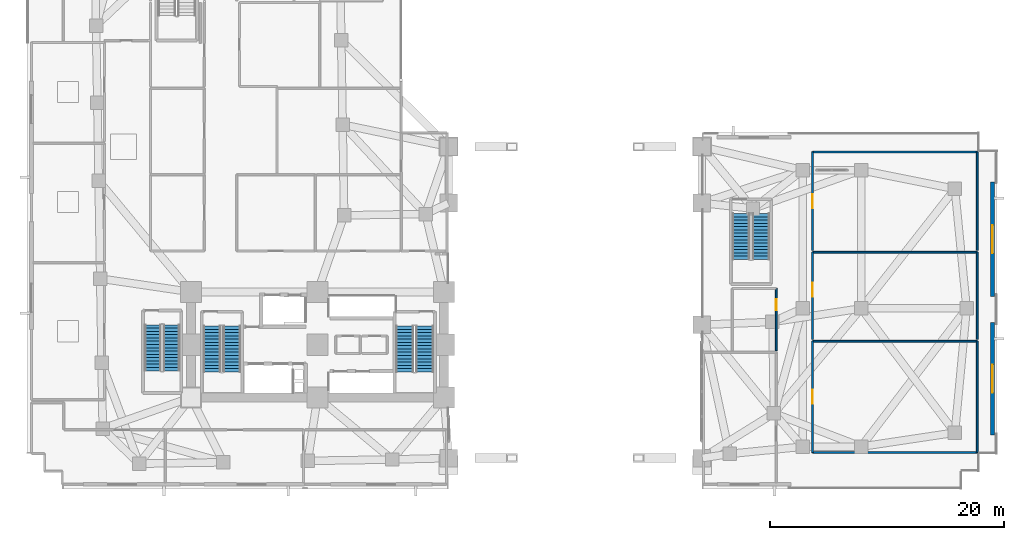
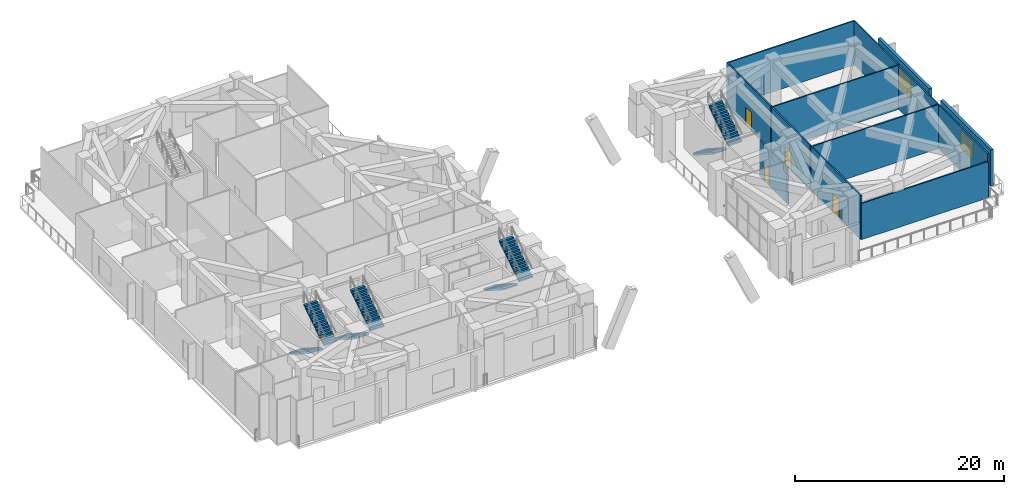
# One storey, part 11 of 18: 13 walls, 8 stair flights, 4 doors, 2 windows, 6 openings, 4 elements without a shape of their own.
"""IFC4 building model written with IfcOpenShell, lengths in metres."""

from ifc_helpers import new_model, si_unit, direction, frame, frame_2d, origin, place, context, subcontext, project, spatial, polyline, rectangle, outline, extrude, material, layer, layer_set, type_object, element, fill, aggregate, save


model = new_model("IFC4")

# Units and contexts
model_context = context("Model", 3, precision=1e-05, world=origin(), true_north=direction((0.0, 1.0)))
body_context = subcontext(model_context, "Body", "Model", "MODEL_VIEW")
ifc_project = project(units=[si_unit("LENGTHUNIT", "METRE"), si_unit("AREAUNIT", "SQUARE_METRE"), si_unit("VOLUMEUNIT", "CUBIC_METRE"), si_unit("PLANEANGLEUNIT", "RADIAN"), si_unit("MASSUNIT", "GRAM", prefix="KILO")], contexts=[model_context])

# Site, building, storey
site_placement = place(None, origin())
site = spatial("IfcSite", under=ifc_project, at=site_placement, CompositionType="ELEMENT")
building_placement = place(site_placement, origin())
building = spatial("IfcBuilding", under=site, at=building_placement, Name="Gaonmaruhae Medical Tower", CompositionType="ELEMENT")
storey_placement = place(building_placement, frame((0.0, 0.0, 16.199951171875)))
storey = spatial("IfcBuildingStorey", under=building, at=storey_placement, Name="L03", CompositionType="ELEMENT", Elevation=16.199951171875)

# Wall, opening, window
ifc_material_1 = material(Name="Precast concrete C45/55", Category="concrete")
ifc_layer_1 = layer(ifc_material_1, 0.320068359375)
ifc_layer_set_1 = layer_set([ifc_layer_1], Name="Precast concrete C45/55")
wall_type_1 = type_object("IfcWallType", Name="EW-320 Lower Precast Masonry-Frame Facade Wall", PredefinedType="SOLIDWALL", material=ifc_layer_set_1)
wall_1_placement = place(storey_placement, frame((82.39990234375, 14.199951171875, 0.0), z_axis=(0.0, 0.0, 1.0), x_axis=(0.0, -1.0, 0.0)))
wall_1 = element("IfcWall", 1, at=wall_1_placement, inside=storey, type_object=wall_type_1, Name="L03 Precast Facade Wall PB-E1", PredefinedType="SOLIDWALL", context=body_context, shape_type="SweptSolid", body=[
    extrude(rectangle(XDim=9.599853515625, YDim=0.320068359375, at=frame_2d((4.7998046875, 0.0))), origin(), (0.0, 0.0, 1.0), 4.22998046875),
])
opening_1_placement = place(wall_1_placement, frame((3.60009765625, 0.0, 0.800048828125)))
opening_1 = element("IfcOpeningElement", 2, at=opening_1_placement, cuts=wall_1, Name="Opening WN-06", PredefinedType="OPENING", context=body_context, shape_type="SweptSolid", body=[
    extrude(rectangle(XDim=2.39990234375, YDim=2.199951171875, at=frame_2d((1.199951171875, 1.10009765625))), frame((0.0, 0.169921875, 0.0), z_axis=(0.0, -1.0, 0.0), x_axis=(1.0, 0.0, 0.0)), (0.0, 0.0, 1.0), 0.340087890625),
])
ifc_material_2 = material(Name="Anodised aluminium and Low-E double glazing", Category="aluminium")
window_type = type_object("IfcWindowType", Name="WN-06 Podium Diagnostic Punched Window 2400x2200", PartitioningType="SINGLE_PANEL", PredefinedType="WINDOW", material=ifc_material_2)
window_1_placement = place(opening_1_placement, origin())
window_1 = element("IfcWindow", 3, at=window_1_placement, inside=storey, type_object=window_type, Name="L03 Podium Punched Window PB-E1", OverallHeight=2.199951171875, OverallWidth=2.39990234375, PartitioningType="SINGLE_PANEL", PredefinedType="WINDOW", context=body_context, shape_type="SweptSolid", body=[
    extrude(rectangle(XDim=2.39990234375, YDim=2.199951171875, at=frame_2d((1.199951171875, 1.10009765625))), frame((0.0, 0.030029296875, 0.0), z_axis=(0.0, -1.0, 0.0), x_axis=(1.0, 0.0, 0.0)), (0.0, 0.0, 1.0), 0.06005859375),
])
fill(opening_1, window_1)

wall_2_placement = place(storey_placement, frame((82.39990234375, 26.199951171875, 0.0), z_axis=(0.0, 0.0, 1.0), x_axis=(0.0, -1.0, 0.0)))
wall_2 = element("IfcWall", 4, at=wall_2_placement, inside=storey, type_object=wall_type_1, Name="L03 Precast Facade Wall PB-E2", PredefinedType="SOLIDWALL", context=body_context, shape_type="SweptSolid", body=[
    extrude(rectangle(XDim=9.800048828125, YDim=0.320068359375, at=frame_2d((4.89990234375, 0.0))), origin(), (0.0, 0.0, 1.0), 4.22998046875),
])
opening_2_placement = place(wall_2_placement, frame((3.699951171875, 0.0, 0.800048828125)))
opening_2 = element("IfcOpeningElement", 5, at=opening_2_placement, cuts=wall_2, Name="Opening WN-06", PredefinedType="OPENING", context=body_context, shape_type="SweptSolid", body=[
    extrude(rectangle(XDim=2.39990234375, YDim=2.199951171875, at=frame_2d((1.199951171875, 1.10009765625))), frame((0.0, 0.169921875, 0.0), z_axis=(0.0, -1.0, 0.0), x_axis=(1.0, 0.0, 0.0)), (0.0, 0.0, 1.0), 0.340087890625),
])
window_2_placement = place(opening_2_placement, origin())
window_2 = element("IfcWindow", 6, at=window_2_placement, inside=storey, type_object=window_type, Name="L03 Podium Punched Window PB-E2", OverallHeight=2.199951171875, OverallWidth=2.39990234375, PartitioningType="SINGLE_PANEL", PredefinedType="WINDOW", context=body_context, shape_type="SweptSolid", body=[
    extrude(rectangle(XDim=2.39990234375, YDim=2.199951171875, at=frame_2d((1.199951171875, 1.10009765625))), frame((0.0, 0.030029296875, 0.0), z_axis=(0.0, -1.0, 0.0), x_axis=(1.0, 0.0, 0.0)), (0.0, 0.0, 1.0), 0.06005859375),
])
fill(opening_2, window_2)

# Walls
ifc_material_3 = material(Name="Gypsum board partition", Category="gypsum")
ifc_layer_2 = layer(ifc_material_3, 0.14990234375)
ifc_layer_set_2 = layer_set([ifc_layer_2], Name="Gypsum board partition")
wall_type_2 = type_object("IfcWallType", Name="PW-150 Rated Clinical Corridor Partition", PredefinedType="PARTITIONING", material=ifc_layer_set_2)
wall_3_placement = place(storey_placement, frame((67.050048828125, 12.60009765625, 0.0), z_axis=(0.0, 0.0, 1.0), x_axis=(1.0, 0.0, 0.0)))
element("IfcWall", 7, at=wall_3_placement, inside=storey, type_object=wall_type_2, Name="L03 Interior Partition L03-EA1-23", PredefinedType="PARTITIONING", context=body_context, shape_type="SweptSolid", body=[
    extrude(rectangle(XDim=14.050048828125, YDim=0.14990234375, at=frame_2d((7.02490234375, 0.0))), origin(), (0.0, 0.0, 1.0), 5.150146484375),
])
wall_4_placement = place(storey_placement, frame((81.10009765625, 12.60009765625, 0.0), z_axis=(0.0, 0.0, 1.0), x_axis=(0.0, -1.0, 0.0)))
element("IfcWall", 8, at=wall_4_placement, inside=storey, type_object=wall_type_2, Name="L03 Interior Partition L03-EA1-24", PredefinedType="PARTITIONING", context=body_context, shape_type="SweptSolid", body=[
    extrude(rectangle(XDim=9.5, YDim=0.14990234375, at=frame_2d((4.75, 0.0))), origin(), (0.0, 0.0, 1.0), 5.150146484375),
])
wall_5_placement = place(storey_placement, frame((81.10009765625, 3.10009765625, 0.0), z_axis=(0.0, 0.0, 1.0), x_axis=(-1.0, 0.0, 0.0)))
element("IfcWall", 9, at=wall_5_placement, inside=storey, type_object=wall_type_2, Name="L03 Interior Partition L03-EA1-25", PredefinedType="PARTITIONING", context=body_context, shape_type="SweptSolid", body=[
    extrude(rectangle(XDim=14.050048828125, YDim=0.14990234375, at=frame_2d((7.02490234375, 0.0))), origin(), (0.0, 0.0, 1.0), 4.235107421875),
])

# Wall, opening, door
wall_6_placement = place(storey_placement, frame((67.050048828125, 3.10009765625, 0.0), z_axis=(0.0, 0.0, 1.0), x_axis=(0.0, 1.0, 0.0)))
wall_6 = element("IfcWall", 10, at=wall_6_placement, inside=storey, type_object=wall_type_2, Name="L03 Interior Partition L03-EA1-26", PredefinedType="PARTITIONING", context=body_context, shape_type="SweptSolid", body=[
    extrude(rectangle(XDim=9.5, YDim=0.14990234375, at=frame_2d((4.75, 0.0))), origin(), (0.0, 0.0, 1.0), 5.150146484375),
])
opening_3_placement = place(wall_6_placement, frame((4.14990234375, 0.0, 0.0)))
opening_3 = element("IfcOpeningElement", 11, at=opening_3_placement, cuts=wall_6, Name="Opening CD-02", PredefinedType="OPENING", context=body_context, shape_type="SweptSolid", body=[
    extrude(rectangle(XDim=1.199951171875, YDim=2.14990234375, at=frame_2d((0.60009765625, 1.074951171875))), frame((0.0, 0.0849609375, 0.0), z_axis=(0.0, -1.0, 0.0), x_axis=(1.0, 0.0, 0.0)), (0.0, 0.0, 1.0), 0.169921875),
])
ifc_material_4 = material(Name="Antimicrobial laminate timber fire door", Category="wood")
door_type_1 = type_object("IfcDoorType", Name="CD-02 Clinical Treatment & Procedure Door 1200x2150", OperationType="NOTDEFINED", PredefinedType="DOOR", material=ifc_material_4)
door_1_placement = place(opening_3_placement, origin())
door_1 = element("IfcDoor", 12, at=door_1_placement, inside=storey, type_object=door_type_1, Name="L03 L03 Molecular Pathology Laboratory Door", OperationType="SINGLE_SWING_LEFT", OverallHeight=2.14990234375, OverallWidth=1.199951171875, PredefinedType="DOOR", context=body_context, shape_type="SweptSolid", body=[
    extrude(rectangle(XDim=1.199951171875, YDim=2.14990234375, at=frame_2d((0.60009765625, 1.074951171875))), frame((0.0, 0.02490234375, 0.0), z_axis=(0.0, -1.0, 0.0), x_axis=(1.0, 0.0, 0.0)), (0.0, 0.0, 1.0), 0.050048828125),
])
fill(opening_3, door_1)

# Walls
wall_7_placement = place(storey_placement, frame((67.050048828125, 20.199951171875, 0.0), z_axis=(0.0, 0.0, 1.0), x_axis=(1.0, 0.0, 0.0)))
element("IfcWall", 13, at=wall_7_placement, inside=storey, type_object=wall_type_2, Name="L03 Interior Partition L03-EA2-27", PredefinedType="PARTITIONING", context=body_context, shape_type="SweptSolid", body=[
    extrude(rectangle(XDim=14.050048828125, YDim=0.14990234375, at=frame_2d((7.02490234375, 0.0))), origin(), (0.0, 0.0, 1.0), 5.150146484375),
])
wall_8_placement = place(storey_placement, frame((81.10009765625, 20.199951171875, 0.0), z_axis=(0.0, 0.0, 1.0), x_axis=(0.0, -1.0, 0.0)))
element("IfcWall", 14, at=wall_8_placement, inside=storey, type_object=wall_type_2, Name="L03 Interior Partition L03-EA2-28", PredefinedType="PARTITIONING", context=body_context, shape_type="SweptSolid", body=[
    extrude(rectangle(XDim=7.449951171875, YDim=0.14990234375, at=frame_2d((3.72509765625, 0.0))), origin(), (0.0, 0.0, 1.0), 5.150146484375),
])

# Wall, opening, door
wall_9_placement = place(storey_placement, frame((67.050048828125, 12.75, 0.0), z_axis=(0.0, 0.0, 1.0), x_axis=(0.0, 1.0, 0.0)))
wall_9 = element("IfcWall", 15, at=wall_9_placement, inside=storey, type_object=wall_type_2, Name="L03 Interior Partition L03-EA2-29", PredefinedType="PARTITIONING", context=body_context, shape_type="SweptSolid", body=[
    extrude(rectangle(XDim=7.449951171875, YDim=0.14990234375, at=frame_2d((3.72509765625, 0.0))), origin(), (0.0, 0.0, 1.0), 5.150146484375),
])
opening_4_placement = place(wall_9_placement, frame((3.63720703125, 0.0, 0.0)))
opening_4 = element("IfcOpeningElement", 16, at=opening_4_placement, cuts=wall_9, Name="Opening CD-02", PredefinedType="OPENING", context=body_context, shape_type="SweptSolid", body=[
    extrude(rectangle(XDim=1.199951171875, YDim=2.14990234375, at=frame_2d((0.60009765625, 1.074951171875))), frame((0.0, 0.0849609375, 0.0), z_axis=(0.0, -1.0, 0.0), x_axis=(1.0, 0.0, 0.0)), (0.0, 0.0, 1.0), 0.169921875),
])
door_2_placement = place(opening_4_placement, origin())
door_2 = element("IfcDoor", 17, at=door_2_placement, inside=storey, type_object=door_type_1, Name="L03 L03 Clinical Research Seminar Room Door", OperationType="SINGLE_SWING_RIGHT", OverallHeight=2.14990234375, OverallWidth=1.199951171875, PredefinedType="DOOR", context=body_context, shape_type="SweptSolid", body=[
    extrude(rectangle(XDim=1.199951171875, YDim=2.14990234375, at=frame_2d((0.60009765625, 1.074951171875))), frame((0.0, 0.02490234375, 0.0), z_axis=(0.0, -1.0, 0.0), x_axis=(1.0, 0.0, 0.0)), (0.0, 0.0, 1.0), 0.050048828125),
])
fill(opening_4, door_2)

# Walls
wall_10_placement = place(storey_placement, frame((67.050048828125, 28.75, 0.0), z_axis=(0.0, 0.0, 1.0), x_axis=(1.0, 0.0, 0.0)))
element("IfcWall", 18, at=wall_10_placement, inside=storey, type_object=wall_type_2, Name="L03 Interior Partition L03-EA3-30", PredefinedType="PARTITIONING", context=body_context, shape_type="SweptSolid", body=[
    extrude(rectangle(XDim=14.050048828125, YDim=0.14990234375, at=frame_2d((7.02490234375, 0.0))), origin(), (0.0, 0.0, 1.0), 5.150146484375),
])
wall_11_placement = place(storey_placement, frame((81.10009765625, 28.75, 0.0), z_axis=(0.0, 0.0, 1.0), x_axis=(0.0, -1.0, 0.0)))
element("IfcWall", 19, at=wall_11_placement, inside=storey, type_object=wall_type_2, Name="L03 Interior Partition L03-EA3-31", PredefinedType="PARTITIONING", context=body_context, shape_type="SweptSolid", body=[
    extrude(rectangle(XDim=8.39990234375, YDim=0.14990234375, at=frame_2d((4.199951171875, 0.0))), origin(), (0.0, 0.0, 1.0), 5.150146484375),
])

# Wall, opening, door
wall_12_placement = place(storey_placement, frame((67.050048828125, 20.35009765625, 0.0), z_axis=(0.0, 0.0, 1.0), x_axis=(0.0, 1.0, 0.0)))
wall_12 = element("IfcWall", 20, at=wall_12_placement, inside=storey, type_object=wall_type_2, Name="L03 Interior Partition L03-EA3-32", PredefinedType="PARTITIONING", context=body_context, shape_type="SweptSolid", body=[
    extrude(rectangle(XDim=8.39990234375, YDim=0.14990234375, at=frame_2d((4.199951171875, 0.0))), origin(), (0.0, 0.0, 1.0), 5.150146484375),
])
opening_5_placement = place(wall_12_placement, frame((3.60009765625, 0.0, 0.0)))
opening_5 = element("IfcOpeningElement", 21, at=opening_5_placement, cuts=wall_12, Name="Opening CD-02", PredefinedType="OPENING", context=body_context, shape_type="SweptSolid", body=[
    extrude(rectangle(XDim=1.199951171875, YDim=2.14990234375, at=frame_2d((0.60009765625, 1.074951171875))), frame((0.0, 0.0849609375, 0.0), z_axis=(0.0, -1.0, 0.0), x_axis=(1.0, 0.0, 0.0)), (0.0, 0.0, 1.0), 0.169921875),
])
door_3_placement = place(opening_5_placement, origin())
door_3 = element("IfcDoor", 22, at=door_3_placement, inside=storey, type_object=door_type_1, Name="L03 L03 Biomedical Engineering Suite Door", OperationType="SINGLE_SWING_RIGHT", OverallHeight=2.14990234375, OverallWidth=1.199951171875, PredefinedType="DOOR", context=body_context, shape_type="SweptSolid", body=[
    extrude(rectangle(XDim=1.199951171875, YDim=2.14990234375, at=frame_2d((0.60009765625, 1.074951171875))), frame((0.0, 0.02490234375, 0.0), z_axis=(0.0, -1.0, 0.0), x_axis=(1.0, 0.0, 0.0)), (0.0, 0.0, 1.0), 0.050048828125),
])
fill(opening_5, door_3)

wall_13_placement = place(storey_placement, frame((63.949951171875, 17.10009765625, 0.0), z_axis=(0.0, 0.0, 1.0), x_axis=(0.0, -1.0, 0.0)))
wall_13 = element("IfcWall", 23, at=wall_13_placement, inside=storey, type_object=wall_type_2, Name="L03 Interior Partition L03-EAW-38", PredefinedType="PARTITIONING", context=body_context, shape_type="SweptSolid", body=[
    extrude(rectangle(XDim=5.300048828125, YDim=0.14990234375, at=frame_2d((2.64990234375, 0.0))), origin(), (0.0, 0.0, 1.0), 4.235107421875),
])
opening_6_placement = place(wall_13_placement, frame((0.929443359375, 0.0, 0.0)))
opening_6 = element("IfcOpeningElement", 24, at=opening_6_placement, cuts=wall_13, Name="Opening UD-01", PredefinedType="OPENING", context=body_context, shape_type="SweptSolid", body=[
    extrude(rectangle(XDim=0.919921875, YDim=2.10009765625, at=frame_2d((0.4599609375, 1.050048828125))), frame((0.0, 0.0849609375, 0.0), z_axis=(0.0, -1.0, 0.0), x_axis=(1.0, 0.0, 0.0)), (0.0, 0.0, 1.0), 0.169921875),
])
ifc_material_5 = material(Name="Powder-coated steel utility door", Category="steel")
door_type_2 = type_object("IfcDoorType", Name="UD-01 Toilet, Utility & Housekeeping Door 920x2100", OperationType="NOTDEFINED", PredefinedType="DOOR", material=ifc_material_5)
door_4_placement = place(opening_6_placement, origin())
door_4 = element("IfcDoor", 25, at=door_4_placement, inside=storey, type_object=door_type_2, Name="L03 L03 East Annex Accessible Toilet Door", OperationType="SINGLE_SWING_LEFT", OverallHeight=2.10009765625, OverallWidth=0.919921875, PredefinedType="DOOR", context=body_context, shape_type="SweptSolid", body=[
    extrude(rectangle(XDim=0.919921875, YDim=2.10009765625, at=frame_2d((0.4599609375, 1.050048828125))), frame((0.0, 0.02490234375, 0.0), z_axis=(0.0, -1.0, 0.0), x_axis=(1.0, 0.0, 0.0)), (0.0, 0.0, 1.0), 0.050048828125),
])
fill(opening_6, door_4)

# Stair, stair flights
ifc_material_6 = material(Name="Concrete C40/50", Category="concrete")
stair_type_1 = type_object("IfcStairType", Name="ST-T1 Primary Core Escape Dogleg Stair", PredefinedType="TWO_QUARTER_TURN_STAIR", material=ifc_material_6)
stair_1_placement = place(storey_placement, origin())
stair_1 = element("IfcStair", 26, at=stair_1_placement, inside=storey, type_object=stair_type_1, Name="L03 Protected Escape Stair ST-01", PredefinedType="TWO_QUARTER_TURN_STAIR")
stair_flight_type_1 = type_object("IfcStairFlightType", Name="SF-T1 Primary Core Precast Stair Flight", PredefinedType="STRAIGHT", material=ifc_material_6)
stair_flight_1_placement = place(storey_placement, frame((15.800048828125, 13.89990234375, 0.0), z_axis=(0.0, 0.0, 1.0), x_axis=(0.0, -1.0, 0.0)))
stair_flight_1 = element("IfcStairFlight", 27, at=stair_flight_1_placement, type_object=stair_flight_type_1, Name="ST-01 flight 1", NumberOfRisers=15, NumberOfTreads=14, PredefinedType="STRAIGHT", RiserHeight=0.18, TreadLength=0.28, context=body_context, shape_type="SweptSolid", body=[
    extrude(outline(polyline([(0.0, 0.0), (0.0, 0.179931640625), (0.280029296875, 0.179931640625), (0.280029296875, 0.360107421875), (0.56005859375, 0.360107421875), (0.56005859375, 0.5400390625), (0.840087890625, 0.5400390625), (0.840087890625, 0.719970703125), (1.1201171875, 0.719970703125), (1.1201171875, 0.89990234375), (1.39990234375, 0.89990234375), (1.39990234375, 1.080078125), (1.679931640625, 1.080078125), (1.679931640625, 1.260009765625), (1.9599609375, 1.260009765625), (1.9599609375, 1.43994140625), (2.239990234375, 1.43994140625), (2.239990234375, 1.6201171875), (2.52001953125, 1.6201171875), (2.52001953125, 1.800048828125), (2.800048828125, 1.800048828125), (2.800048828125, 1.97998046875), (3.080078125, 1.97998046875), (3.080078125, 2.159912109375), (3.360107421875, 2.159912109375), (3.360107421875, 2.340087890625), (3.639892578125, 2.340087890625), (3.639892578125, 2.52001953125), (3.919921875, 2.52001953125), (3.919921875, 2.699951171875), (3.919921875, 2.341796875), (0.277099609375, 0.0), (0.0, 0.0)])), frame((0.0, 0.75, 0.0), z_axis=(0.0, -1.0, 0.0), x_axis=(1.0, 0.0, 0.0)), (0.0, 0.0, 1.0), 1.5),
])
stair_flight_2_placement = place(storey_placement, frame((17.5, 9.97998046875, 2.699951171875), z_axis=(0.0, 0.0, 1.0), x_axis=(0.0, 1.0, 0.0)))
stair_flight_2 = element("IfcStairFlight", 28, at=stair_flight_2_placement, type_object=stair_flight_type_1, Name="ST-01 flight 2", NumberOfRisers=15, NumberOfTreads=14, PredefinedType="STRAIGHT", RiserHeight=0.18, TreadLength=0.28, context=body_context, shape_type="SweptSolid", body=[
    extrude(outline(polyline([(0.0, 0.0), (0.0, 0.179931640625), (0.280029296875, 0.179931640625), (0.280029296875, 0.360107421875), (0.56005859375, 0.360107421875), (0.56005859375, 0.5400390625), (0.840087890625, 0.5400390625), (0.840087890625, 0.719970703125), (1.1201171875, 0.719970703125), (1.1201171875, 0.89990234375), (1.39990234375, 0.89990234375), (1.39990234375, 1.080078125), (1.679931640625, 1.080078125), (1.679931640625, 1.260009765625), (1.9599609375, 1.260009765625), (1.9599609375, 1.43994140625), (2.239990234375, 1.43994140625), (2.239990234375, 1.6201171875), (2.52001953125, 1.6201171875), (2.52001953125, 1.800048828125), (2.800048828125, 1.800048828125), (2.800048828125, 1.97998046875), (3.080078125, 1.97998046875), (3.080078125, 2.159912109375), (3.360107421875, 2.159912109375), (3.360107421875, 2.340087890625), (3.639892578125, 2.340087890625), (3.639892578125, 2.52001953125), (3.919921875, 2.52001953125), (3.919921875, 2.699951171875), (3.919921875, 2.341796875), (0.277099609375, 0.0), (0.0, 0.0)])), frame((0.0, 0.75, 0.0), z_axis=(0.0, -1.0, 0.0), x_axis=(1.0, 0.0, 0.0)), (0.0, 0.0, 1.0), 1.5),
])
aggregate(stair_1, [stair_flight_1, stair_flight_2])

stair_2_placement = place(storey_placement, origin())
stair_2 = element("IfcStair", 29, at=stair_2_placement, inside=storey, type_object=stair_type_1, Name="L03 Protected Escape Stair ST-02", PredefinedType="TWO_QUARTER_TURN_STAIR")
stair_flight_3_placement = place(storey_placement, frame((32.25, 13.89990234375, 0.0), z_axis=(0.0, 0.0, 1.0), x_axis=(0.0, -1.0, 0.0)))
stair_flight_3 = element("IfcStairFlight", 30, at=stair_flight_3_placement, type_object=stair_flight_type_1, Name="ST-02 flight 1", NumberOfRisers=15, NumberOfTreads=14, PredefinedType="STRAIGHT", RiserHeight=0.18, TreadLength=0.28, context=body_context, shape_type="SweptSolid", body=[
    extrude(outline(polyline([(0.0, 0.0), (0.0, 0.179931640625), (0.280029296875, 0.179931640625), (0.280029296875, 0.360107421875), (0.56005859375, 0.360107421875), (0.56005859375, 0.5400390625), (0.840087890625, 0.5400390625), (0.840087890625, 0.719970703125), (1.1201171875, 0.719970703125), (1.1201171875, 0.89990234375), (1.39990234375, 0.89990234375), (1.39990234375, 1.080078125), (1.679931640625, 1.080078125), (1.679931640625, 1.260009765625), (1.9599609375, 1.260009765625), (1.9599609375, 1.43994140625), (2.239990234375, 1.43994140625), (2.239990234375, 1.6201171875), (2.52001953125, 1.6201171875), (2.52001953125, 1.800048828125), (2.800048828125, 1.800048828125), (2.800048828125, 1.97998046875), (3.080078125, 1.97998046875), (3.080078125, 2.159912109375), (3.360107421875, 2.159912109375), (3.360107421875, 2.340087890625), (3.639892578125, 2.340087890625), (3.639892578125, 2.52001953125), (3.919921875, 2.52001953125), (3.919921875, 2.699951171875), (3.919921875, 2.341796875), (0.277099609375, 0.0), (0.0, 0.0)])), frame((0.0, 0.75, 0.0), z_axis=(0.0, -1.0, 0.0), x_axis=(1.0, 0.0, 0.0)), (0.0, 0.0, 1.0), 1.5),
])
stair_flight_4_placement = place(storey_placement, frame((33.949951171875, 9.97998046875, 2.699951171875), z_axis=(0.0, 0.0, 1.0), x_axis=(0.0, 1.0, 0.0)))
stair_flight_4 = element("IfcStairFlight", 31, at=stair_flight_4_placement, type_object=stair_flight_type_1, Name="ST-02 flight 2", NumberOfRisers=15, NumberOfTreads=14, PredefinedType="STRAIGHT", RiserHeight=0.18, TreadLength=0.28, context=body_context, shape_type="SweptSolid", body=[
    extrude(outline(polyline([(0.0, 0.0), (0.0, 0.179931640625), (0.280029296875, 0.179931640625), (0.280029296875, 0.360107421875), (0.56005859375, 0.360107421875), (0.56005859375, 0.5400390625), (0.840087890625, 0.5400390625), (0.840087890625, 0.719970703125), (1.1201171875, 0.719970703125), (1.1201171875, 0.89990234375), (1.39990234375, 0.89990234375), (1.39990234375, 1.080078125), (1.679931640625, 1.080078125), (1.679931640625, 1.260009765625), (1.9599609375, 1.260009765625), (1.9599609375, 1.43994140625), (2.239990234375, 1.43994140625), (2.239990234375, 1.6201171875), (2.52001953125, 1.6201171875), (2.52001953125, 1.800048828125), (2.800048828125, 1.800048828125), (2.800048828125, 1.97998046875), (3.080078125, 1.97998046875), (3.080078125, 2.159912109375), (3.360107421875, 2.159912109375), (3.360107421875, 2.340087890625), (3.639892578125, 2.340087890625), (3.639892578125, 2.52001953125), (3.919921875, 2.52001953125), (3.919921875, 2.699951171875), (3.919921875, 2.341796875), (0.277099609375, 0.0), (0.0, 0.0)])), frame((0.0, 0.75, 0.0), z_axis=(0.0, -1.0, 0.0), x_axis=(1.0, 0.0, 0.0)), (0.0, 0.0, 1.0), 1.5),
])
aggregate(stair_2, [stair_flight_3, stair_flight_4])

stair_type_2 = type_object("IfcStairType", Name="ST-T2 Zone 1 Escape Dogleg Stair", PredefinedType="TWO_QUARTER_TURN_STAIR", material=ifc_material_6)
stair_3_placement = place(storey_placement, origin())
stair_3 = element("IfcStair", 32, at=stair_3_placement, inside=storey, type_object=stair_type_2, Name="L03 Protected Escape Stair ST-03", PredefinedType="TWO_QUARTER_TURN_STAIR")
stair_flight_type_2 = type_object("IfcStairFlightType", Name="SF-T2 Zone 1 Precast Stair Flight", PredefinedType="STRAIGHT", material=ifc_material_6)
stair_flight_5_placement = place(storey_placement, frame((10.75, 14.0, 0.0), z_axis=(0.0, 0.0, 1.0), x_axis=(0.0, -1.0, 0.0)))
stair_flight_5 = element("IfcStairFlight", 33, at=stair_flight_5_placement, type_object=stair_flight_type_2, Name="ST-03 flight 1", NumberOfRisers=15, NumberOfTreads=14, PredefinedType="STRAIGHT", RiserHeight=0.18, TreadLength=0.28, context=body_context, shape_type="SweptSolid", body=[
    extrude(outline(polyline([(0.0, 0.0), (0.0, 0.179931640625), (0.280029296875, 0.179931640625), (0.280029296875, 0.360107421875), (0.56005859375, 0.360107421875), (0.56005859375, 0.5400390625), (0.840087890625, 0.5400390625), (0.840087890625, 0.719970703125), (1.1201171875, 0.719970703125), (1.1201171875, 0.89990234375), (1.39990234375, 0.89990234375), (1.39990234375, 1.080078125), (1.679931640625, 1.080078125), (1.679931640625, 1.260009765625), (1.9599609375, 1.260009765625), (1.9599609375, 1.43994140625), (2.239990234375, 1.43994140625), (2.239990234375, 1.6201171875), (2.52001953125, 1.6201171875), (2.52001953125, 1.800048828125), (2.800048828125, 1.800048828125), (2.800048828125, 1.97998046875), (3.080078125, 1.97998046875), (3.080078125, 2.159912109375), (3.360107421875, 2.159912109375), (3.360107421875, 2.340087890625), (3.639892578125, 2.340087890625), (3.639892578125, 2.52001953125), (3.919921875, 2.52001953125), (3.919921875, 2.699951171875), (3.919921875, 2.341796875), (0.277099609375, 0.0), (0.0, 0.0)])), frame((0.0, 0.699951171875, 0.0), z_axis=(0.0, -1.0, 0.0), x_axis=(1.0, 0.0, 0.0)), (0.0, 0.0, 1.0), 1.39990234375),
])
stair_flight_6_placement = place(storey_placement, frame((12.35009765625, 10.080078125, 2.699951171875), z_axis=(0.0, 0.0, 1.0), x_axis=(0.0, 1.0, 0.0)))
stair_flight_6 = element("IfcStairFlight", 34, at=stair_flight_6_placement, type_object=stair_flight_type_2, Name="ST-03 flight 2", NumberOfRisers=15, NumberOfTreads=14, PredefinedType="STRAIGHT", RiserHeight=0.18, TreadLength=0.28, context=body_context, shape_type="SweptSolid", body=[
    extrude(outline(polyline([(0.0, 0.0), (0.0, 0.179931640625), (0.280029296875, 0.179931640625), (0.280029296875, 0.360107421875), (0.56005859375, 0.360107421875), (0.56005859375, 0.5400390625), (0.840087890625, 0.5400390625), (0.840087890625, 0.719970703125), (1.1201171875, 0.719970703125), (1.1201171875, 0.89990234375), (1.39990234375, 0.89990234375), (1.39990234375, 1.080078125), (1.679931640625, 1.080078125), (1.679931640625, 1.260009765625), (1.9599609375, 1.260009765625), (1.9599609375, 1.43994140625), (2.239990234375, 1.43994140625), (2.239990234375, 1.6201171875), (2.52001953125, 1.6201171875), (2.52001953125, 1.800048828125), (2.800048828125, 1.800048828125), (2.800048828125, 1.97998046875), (3.080078125, 1.97998046875), (3.080078125, 2.159912109375), (3.360107421875, 2.159912109375), (3.360107421875, 2.340087890625), (3.639892578125, 2.340087890625), (3.639892578125, 2.52001953125), (3.919921875, 2.52001953125), (3.919921875, 2.699951171875), (3.919921875, 2.341796875), (0.277099609375, 0.0), (0.0, 0.0)])), frame((0.0, 0.699951171875, 0.0), z_axis=(0.0, -1.0, 0.0), x_axis=(1.0, 0.0, 0.0)), (0.0, 0.0, 1.0), 1.39990234375),
])
aggregate(stair_3, [stair_flight_5, stair_flight_6])

stair_type_3 = type_object("IfcStairType", Name="ST-T3 Podium Escape Dogleg Stair", PredefinedType="TWO_QUARTER_TURN_STAIR", material=ifc_material_6)
stair_4_placement = place(storey_placement, origin())
stair_4 = element("IfcStair", 35, at=stair_4_placement, inside=storey, type_object=stair_type_3, Name="L03 Protected Escape Stair ST-04", PredefinedType="TWO_QUARTER_TURN_STAIR")
stair_flight_type_3 = type_object("IfcStairFlightType", Name="SF-T3 Podium Precast Stair Flight", PredefinedType="STRAIGHT", material=ifc_material_6)
stair_flight_7_placement = place(storey_placement, frame((60.949951171875, 23.5, 0.0), z_axis=(0.0, 0.0, 1.0), x_axis=(0.0, -1.0, 0.0)))
stair_flight_7 = element("IfcStairFlight", 36, at=stair_flight_7_placement, type_object=stair_flight_type_3, Name="ST-04 flight 1", NumberOfRisers=15, NumberOfTreads=14, PredefinedType="STRAIGHT", RiserHeight=0.18, TreadLength=0.28, context=body_context, shape_type="SweptSolid", body=[
    extrude(outline(polyline([(0.0, 0.0), (0.0, 0.179931640625), (0.280029296875, 0.179931640625), (0.280029296875, 0.360107421875), (0.56005859375, 0.360107421875), (0.56005859375, 0.5400390625), (0.840087890625, 0.5400390625), (0.840087890625, 0.719970703125), (1.1201171875, 0.719970703125), (1.1201171875, 0.89990234375), (1.39990234375, 0.89990234375), (1.39990234375, 1.080078125), (1.679931640625, 1.080078125), (1.679931640625, 1.260009765625), (1.9599609375, 1.260009765625), (1.9599609375, 1.43994140625), (2.239990234375, 1.43994140625), (2.239990234375, 1.6201171875), (2.52001953125, 1.6201171875), (2.52001953125, 1.800048828125), (2.800048828125, 1.800048828125), (2.800048828125, 1.97998046875), (3.080078125, 1.97998046875), (3.080078125, 2.159912109375), (3.360107421875, 2.159912109375), (3.360107421875, 2.340087890625), (3.639892578125, 2.340087890625), (3.639892578125, 2.52001953125), (3.919921875, 2.52001953125), (3.919921875, 2.699951171875), (3.919921875, 2.341796875), (0.277099609375, 0.0), (0.0, 0.0)])), frame((0.0, 0.75, 0.0), z_axis=(0.0, -1.0, 0.0), x_axis=(1.0, 0.0, 0.0)), (0.0, 0.0, 1.0), 1.5),
])
stair_flight_8_placement = place(storey_placement, frame((62.64990234375, 19.580078125, 2.699951171875), z_axis=(0.0, 0.0, 1.0), x_axis=(0.0, 1.0, 0.0)))
stair_flight_8 = element("IfcStairFlight", 37, at=stair_flight_8_placement, type_object=stair_flight_type_3, Name="ST-04 flight 2", NumberOfRisers=15, NumberOfTreads=14, PredefinedType="STRAIGHT", RiserHeight=0.18, TreadLength=0.28, context=body_context, shape_type="SweptSolid", body=[
    extrude(outline(polyline([(0.0, 0.0), (0.0, 0.179931640625), (0.280029296875, 0.179931640625), (0.280029296875, 0.360107421875), (0.56005859375, 0.360107421875), (0.56005859375, 0.5400390625), (0.840087890625, 0.5400390625), (0.840087890625, 0.719970703125), (1.1201171875, 0.719970703125), (1.1201171875, 0.89990234375), (1.39990234375, 0.89990234375), (1.39990234375, 1.080078125), (1.679931640625, 1.080078125), (1.679931640625, 1.260009765625), (1.9599609375, 1.260009765625), (1.9599609375, 1.43994140625), (2.239990234375, 1.43994140625), (2.239990234375, 1.6201171875), (2.52001953125, 1.6201171875), (2.52001953125, 1.800048828125), (2.800048828125, 1.800048828125), (2.800048828125, 1.97998046875), (3.080078125, 1.97998046875), (3.080078125, 2.159912109375), (3.360107421875, 2.159912109375), (3.360107421875, 2.340087890625), (3.639892578125, 2.340087890625), (3.639892578125, 2.52001953125), (3.919921875, 2.52001953125), (3.919921875, 2.699951171875), (3.919921875, 2.341796875), (0.277099609375, 0.0), (0.0, 0.0)])), frame((0.0, 0.75, 0.0), z_axis=(0.0, -1.0, 0.0), x_axis=(1.0, 0.0, 0.0)), (0.0, 0.0, 1.0), 1.5),
])
aggregate(stair_4, [stair_flight_7, stair_flight_8])

save(model, "model.ifc")
